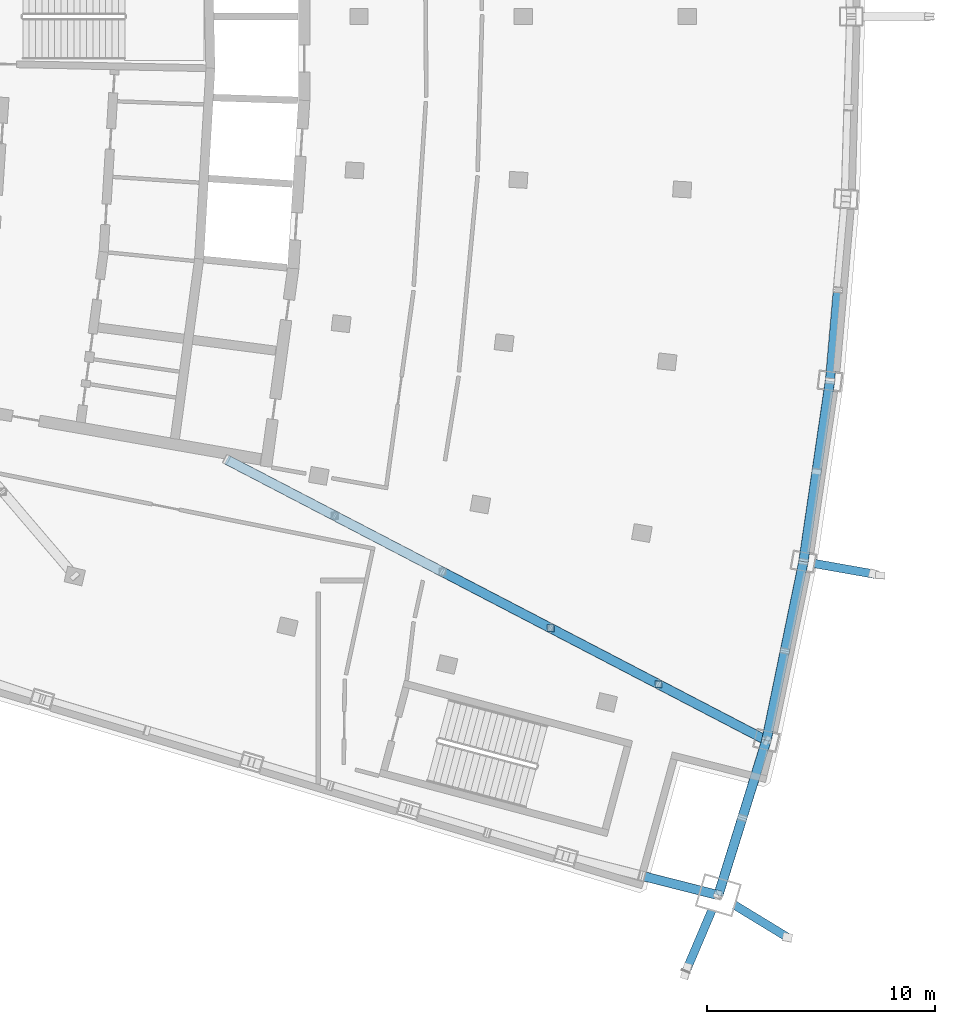
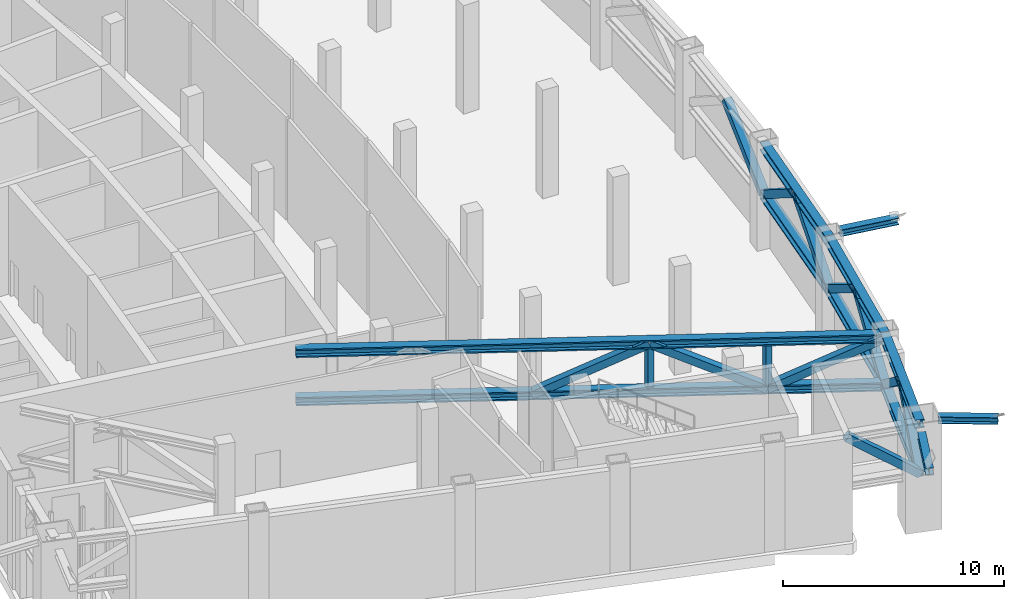
# One storey, part 8 of 23: 24 members.
"""IFC4 building model written with IfcOpenShell, lengths in metres."""

from ifc_helpers import new_model, si_unit, direction, frame, origin, origin_2d, place, context, subcontext, project, spatial, hollow_rectangle, i_section, extrude, material, material_profile, profile_set, type_object, element, save


model = new_model("IFC4")

# Units and contexts
model_context = context("Model", 3, precision=1e-05, world=origin(), true_north=direction((0.0, 1.0)))
body_context = subcontext(model_context, "Body", "Model", "MODEL_VIEW")
ifc_project = project(units=[si_unit("LENGTHUNIT", "METRE"), si_unit("AREAUNIT", "SQUARE_METRE"), si_unit("VOLUMEUNIT", "CUBIC_METRE"), si_unit("PLANEANGLEUNIT", "RADIAN"), si_unit("MASSUNIT", "GRAM", prefix="KILO")], contexts=[model_context])

# Site, building, storey
site_placement = place(None, origin())
site = spatial("IfcSite", under=ifc_project, at=site_placement, CompositionType="ELEMENT")
building_placement = place(site_placement, origin())
building = spatial("IfcBuilding", under=site, at=building_placement, Name="Alderwake Tower", CompositionType="ELEMENT")
storey_placement = place(building_placement, frame((0.0, 0.0, 239.60009765625)))
storey = spatial("IfcBuildingStorey", under=building, at=storey_placement, Name="L59", CompositionType="ELEMENT", Elevation=239.60009765625)

# Members
ifc_material_1 = material(Name="Steel ASTM A992 Grade 50", Category="steel")
ifc_material_profile_1 = material_profile(ifc_material_1, i_section(OverallWidth=0.42138671875, OverallDepth=0.464599609375, WebThickness=0.044921875, FlangeThickness=0.072265625, at=origin_2d()), Name="W14X398")
ifc_profile_set_1 = profile_set([ifc_material_profile_1], Name="Steel ASTM A992 Grade 50")
member_type_1 = type_object("IfcMemberType", Name="Belt truss chord W14X398", PredefinedType="CHORD", material=ifc_profile_set_1)
for number, where, z_axis, x_axis, name in (
    (1, (51.565185546875, 22.43798828125, 5.447509765625), (0.29684399512, 0.954925988002, 0.0), (-0.954925988002, 0.29684399512, 0.0), "Belt truss chord BT59F02.T"),
    (2, (51.565185546875, 22.43798828125, 2.7822265625), (0.29684399512, 0.954925988002, 0.0), (-0.954925988002, 0.29684399512, 0.0), "Belt truss chord BT59F02.B"),
):
    element("IfcMember", number, at=place(storey_placement, frame(where, z_axis=z_axis, x_axis=x_axis)), inside=storey, type_object=member_type_1, Name=name, PredefinedType="CHORD", context=body_context, shape_type="SweptSolid", body=[
        extrude(i_section(OverallWidth=0.42138671875, OverallDepth=0.464599609375, WebThickness=0.044921875, FlangeThickness=0.072265625, at=origin_2d()), origin(), (0.0, 0.0, 1.0), 7.112548828125),
    ])
for number, where, z_axis, x_axis, name in (
    (3, (53.676513671875, 29.22998046875, 5.447509765625), (0.202772826748, 0.979225806815, 0.0), (-0.979225806815, 0.202772826748, 0.0), "Belt truss chord BT59F03.T"),
    (4, (53.676513671875, 29.22998046875, 2.7822265625), (0.202772826748, 0.979225806815, 0.0), (-0.979225806815, 0.202772826748, 0.0), "Belt truss chord BT59F03.B"),
    (5, (55.301513671875, 37.077392578125, 5.447509765625), (0.14531419519, 0.989385559161, 0.0), (-0.989385559161, 0.14531419519, 0.0), "Belt truss chord BT59F04.T"),
    (6, (55.301513671875, 37.077392578125, 2.7822265625), (0.14531419519, 0.989385559161, 0.0), (-0.989385559161, 0.14531419519, 0.0), "Belt truss chord BT59F04.B"),
):
    element("IfcMember", number, at=place(storey_placement, frame(where, z_axis=z_axis, x_axis=x_axis)), inside=storey, type_object=member_type_1, Name=name, PredefinedType="CHORD", context=body_context, shape_type="SweptSolid", body=[
        extrude(i_section(OverallWidth=0.42138671875, OverallDepth=0.464599609375, WebThickness=0.044921875, FlangeThickness=0.072265625, at=origin_2d()), origin(), (0.0, 0.0, 1.0), 8.013916015625),
    ])
ifc_material_2 = material(Name="Steel ASTM A500 Grade C", Category="steel")
ifc_material_profile_2 = material_profile(ifc_material_2, hollow_rectangle(XDim=0.406494140625, YDim=0.406494140625, WallThickness=0.014892578125, at=origin_2d()), Name="HSS16X16X5/8")
ifc_profile_set_2 = profile_set([ifc_material_profile_2], Name="Steel ASTM A500 Grade C")
member_type_2 = type_object("IfcMemberType", Name="Belt truss diagonal HSS16X16X5/8", PredefinedType="BRACE", material=ifc_profile_set_2)
for number, where, z_axis, x_axis, name in (
    (7, (51.565185546875, 22.43798828125, 2.7822265625), (0.237537256164, 0.76414043322, 0.599721143743), (-0.954925988002, 0.29684399512, 0.0), "Belt truss diagonal BT59F02.D1"),
    (8, (53.676513671875, 29.22998046875, 2.7822265625), (-0.237537256164, -0.76414043322, 0.599721143743), (0.954925988002, -0.29684399512, 0.0), "Belt truss diagonal BT59F02.D2"),
):
    element("IfcMember", number, at=place(storey_placement, frame(where, z_axis=z_axis, x_axis=x_axis)), inside=storey, type_object=member_type_2, Name=name, PredefinedType="BRACE", context=body_context, shape_type="SweptSolid", body=[
        extrude(hollow_rectangle(XDim=0.406494140625, YDim=0.406494140625, WallThickness=0.014892578125, at=origin_2d()), origin(), (0.0, 0.0, 1.0), 4.444091796875),
    ])
member_1_placement = place(storey_placement, frame((53.676513671875, 29.22998046875, 2.7822265625), z_axis=(0.168830579433, 0.815338062695, 0.553823147737), x_axis=(-0.979227059369, 0.202766777848, 0.0)))
element("IfcMember", 9, at=member_1_placement, inside=storey, type_object=member_type_2, Name="Belt truss diagonal BT59F03.D1", PredefinedType="BRACE", context=body_context, shape_type="SweptSolid", body=[
    extrude(hollow_rectangle(XDim=0.406494140625, YDim=0.406494140625, WallThickness=0.014892578125, at=origin_2d()), origin(), (0.0, 0.0, 1.0), 4.8125),
])
member_2_placement = place(storey_placement, frame((55.301513671875, 37.077392578125, 2.7822265625), z_axis=(-0.168837562883, -0.815321055619, 0.553846055889), x_axis=(0.979224554149, -0.202778876001, 0.0)))
element("IfcMember", 10, at=member_2_placement, inside=storey, type_object=member_type_2, Name="Belt truss diagonal BT59F03.D2", PredefinedType="BRACE", context=body_context, shape_type="SweptSolid", body=[
    extrude(hollow_rectangle(XDim=0.406494140625, YDim=0.406494140625, WallThickness=0.014892578125, at=origin_2d()), origin(), (0.0, 0.0, 1.0), 4.812255859375),
])
member_3_placement = place(storey_placement, frame((55.301513671875, 37.077392578125, 2.7822265625), z_axis=(0.120990531081, 0.823800936781, 0.553817034721), x_axis=(-0.98938620242, 0.14530981543, 0.0)))
element("IfcMember", 11, at=member_3_placement, inside=storey, type_object=member_type_2, Name="Belt truss diagonal BT59F04.D1", PredefinedType="BRACE", context=body_context, shape_type="SweptSolid", body=[
    extrude(hollow_rectangle(XDim=0.406494140625, YDim=0.406494140625, WallThickness=0.014892578125, at=origin_2d()), origin(), (0.0, 0.0, 1.0), 4.8125),
])
for number, where, z_axis, x_axis, name in (
    (12, (56.466064453125, 45.00634765625, 2.7822265625), (-0.120995587587, -0.823784633641, 0.553840180161), (0.989384915843, -0.145318575212, 0.0), "Belt truss diagonal BT59F04.D2"),
    (13, (56.466064453125, 45.00634765625, 2.7822265625), (0.072750925617, 0.829431578044, 0.553850665943), (-0.996175375301, 0.087376321988, 0.0), "Belt truss diagonal BT59F05.D1"),
):
    element("IfcMember", number, at=place(storey_placement, frame(where, z_axis=z_axis, x_axis=x_axis)), inside=storey, type_object=member_type_2, Name=name, PredefinedType="BRACE", context=body_context, shape_type="SweptSolid", body=[
        extrude(hollow_rectangle(XDim=0.406494140625, YDim=0.406494140625, WallThickness=0.014892578125, at=origin_2d()), origin(), (0.0, 0.0, 1.0), 4.812255859375),
    ])
member_4_placement = place(storey_placement, frame((51.565185546875, 22.43798828125, 2.7822265625), z_axis=(-0.767253209672, 0.194682035693, 0.611082168964), x_axis=(-0.245945061087, -0.969283770073, 0.0)))
element("IfcMember", 14, at=member_4_placement, inside=storey, type_object=member_type_2, Name="Belt truss diagonal BT59E024.D2", PredefinedType="BRACE", context=body_context, shape_type="SweptSolid", body=[
    extrude(hollow_rectangle(XDim=0.406494140625, YDim=0.406494140625, WallThickness=0.014892578125, at=origin_2d()), origin(), (0.0, 0.0, 1.0), 4.361572265625),
])
ifc_material_3 = material(Name="Steel ASTM A992 Grade 50", Category="steel")
ifc_material_profile_3 = material_profile(ifc_material_3, i_section(OverallWidth=0.3740234375, OverallDepth=0.372314453125, WebThickness=0.016357421875, FlangeThickness=0.026123046875, at=origin_2d()), Name="W14X132")
ifc_profile_set_3 = profile_set([ifc_material_profile_3], Name="Steel ASTM A992 Grade 50")
member_type_3 = type_object("IfcMemberType", Name="Brace node stub W14X132", PredefinedType="MEMBER", material=ifc_profile_set_3)
member_5_placement = place(storey_placement, frame((52.27392578125, 22.006103515625, 5.793701171875), z_axis=(0.853983755335, -0.52029966906, 0.0), x_axis=(0.52029966906, 0.853983755335, 0.0)))
element("IfcMember", 15, at=member_5_placement, inside=storey, type_object=member_type_3, Name="Brace node stub BS.FR02-C5.2456", PredefinedType="MEMBER", context=body_context, shape_type="SweptSolid", body=[
    extrude(i_section(OverallWidth=0.3740234375, OverallDepth=0.372314453125, WebThickness=0.016357421875, FlangeThickness=0.026123046875, at=origin_2d()), origin(), (0.0, 0.0, 1.0), 2.722412109375),
])
member_6_placement = place(storey_placement, frame((55.76904296875, 36.994873046875, 5.793701171875), z_axis=(0.984723052178, -0.174127856788, 0.0), x_axis=(0.174127856788, 0.984723052178, 0.0)))
element("IfcMember", 16, at=member_6_placement, inside=storey, type_object=member_type_3, Name="Brace node stub BS.FR04-C5.2456", PredefinedType="MEMBER", context=body_context, shape_type="SweptSolid", body=[
    extrude(i_section(OverallWidth=0.3740234375, OverallDepth=0.372314453125, WebThickness=0.016357421875, FlangeThickness=0.026123046875, at=origin_2d()), origin(), (0.0, 0.0, 1.0), 2.8056640625),
])
member_7_placement = place(storey_placement, frame((51.28955078125, 21.7890625, 5.34375), z_axis=(-0.390904735718, -0.920431142234, 0.0), x_axis=(0.920431142234, -0.390904735718, 0.0)))
element("IfcMember", 17, at=member_7_placement, inside=storey, type_object=member_type_3, Name="Brace node stub BS.SR02-C5.2456", PredefinedType="MEMBER", context=body_context, shape_type="SweptSolid", body=[
    extrude(i_section(OverallWidth=0.3740234375, OverallDepth=0.372314453125, WebThickness=0.016357421875, FlangeThickness=0.026123046875, at=origin_2d()), origin(), (0.0, 0.0, 1.0), 2.914794921875),
])
ifc_material_4 = material(Name="Steel ASTM A992 Grade 50", Category="steel")
ifc_material_profile_4 = material_profile(ifc_material_4, i_section(OverallWidth=0.42138671875, OverallDepth=0.464599609375, WebThickness=0.044921875, FlangeThickness=0.072265625, at=origin_2d()), Name="W14X398")
ifc_profile_set_4 = profile_set([ifc_material_profile_4], Name="Steel ASTM A992 Grade 50")
member_type_4 = type_object("IfcMemberType", Name="Outrigger truss chord W14X398", PredefinedType="CHORD", material=ifc_profile_set_4)
for number, where, z_axis, x_axis, name in (
    (18, (29.993896484375, 41.552001953125, 5.447509765625), (0.887108521737, -0.461560906773, 0.0), (0.461560906773, 0.887108521737, 0.0), "Outrigger truss chord OR59SF.T"),
    (19, (29.993896484375, 41.552001953125, 2.7822265625), (0.887108521737, -0.461560906773, 0.0), (0.461560906773, 0.887108521737, 0.0), "Outrigger truss chord OR59SF.B"),
):
    element("IfcMember", number, at=place(storey_placement, frame(where, z_axis=z_axis, x_axis=x_axis)), inside=storey, type_object=member_type_4, Name=name, PredefinedType="CHORD", context=body_context, shape_type="SweptSolid", body=[
        extrude(i_section(OverallWidth=0.42138671875, OverallDepth=0.464599609375, WebThickness=0.044921875, FlangeThickness=0.072265625, at=origin_2d()), origin(), (0.0, 0.0, 1.0), 26.696533203125),
    ])
ifc_material_5 = material(Name="Steel ASTM A500 Grade C", Category="steel")
ifc_material_profile_5 = material_profile(ifc_material_5, hollow_rectangle(XDim=0.406494140625, YDim=0.406494140625, WallThickness=0.014892578125, at=origin_2d()), Name="HSS16X16X5/8")
ifc_profile_set_5 = profile_set([ifc_material_profile_5], Name="Steel ASTM A500 Grade C")
member_type_5 = type_object("IfcMemberType", Name="Outrigger truss diagonal HSS16X16X5/8", PredefinedType="BRACE", material=ifc_profile_set_5)
for number, where, z_axis, x_axis, name in (
    (20, (39.467041015625, 36.623291015625, 2.7822265625), (0.793718676682, -0.412957905388, 0.446627843582), (0.461549965469, 0.887114214391, 0.0), "Outrigger truss diagonal OR59SF.D3"),
    (21, (48.940185546875, 31.694580078125, 2.7822265625), (-0.793718676682, 0.412957905388, 0.446627843582), (-0.461549965469, -0.887114214391, 0.0), "Outrigger truss diagonal OR59SF.D4"),
    (22, (48.940185546875, 31.694580078125, 2.7822265625), (0.793690127846, -0.413005249516, 0.446634800293), (0.461604672137, 0.887085749328, 0.0), "Outrigger truss diagonal OR59SF.D5"),
):
    element("IfcMember", number, at=place(storey_placement, frame(where, z_axis=z_axis, x_axis=x_axis)), inside=storey, type_object=member_type_5, Name=name, PredefinedType="BRACE", context=body_context, shape_type="SweptSolid", body=[
        extrude(hollow_rectangle(XDim=0.406494140625, YDim=0.406494140625, WallThickness=0.014892578125, at=origin_2d()), origin(), (0.0, 0.0, 1.0), 5.967529296875),
    ])
ifc_material_6 = material(Name="Steel ASTM A500 Grade C", Category="steel")
ifc_material_profile_6 = material_profile(ifc_material_6, hollow_rectangle(XDim=0.3046875, YDim=0.3046875, WallThickness=0.01171875, at=origin_2d()), Name="HSS12X12X1/2")
ifc_profile_set_6 = profile_set([ifc_material_profile_6], Name="Steel ASTM A500 Grade C")
member_type_6 = type_object("IfcMemberType", Name="Outrigger truss post HSS12X12X1/2", PredefinedType="POST", material=ifc_profile_set_6)
for number, where, z_axis, x_axis, name in (
    (23, (44.20361328125, 34.158935546875, 3.014404296875), (0.0, 0.0, 1.0), (1.0, 0.0, 0.0), "Outrigger truss post OR59SF.P3"),
    (24, (48.940185546875, 31.694580078125, 3.014404296875), (0.0, 0.0, 1.0), (1.0, 0.0, 0.0), "Outrigger truss post OR59SF.P4"),
):
    element("IfcMember", number, at=place(storey_placement, frame(where, z_axis=z_axis, x_axis=x_axis)), inside=storey, type_object=member_type_6, Name=name, PredefinedType="POST", context=body_context, shape_type="SweptSolid", body=[
        extrude(hollow_rectangle(XDim=0.3046875, YDim=0.3046875, WallThickness=0.01171875, at=origin_2d()), origin(), (0.0, 0.0, 1.0), 2.200927734375),
    ])

save(model, "model.ifc")
